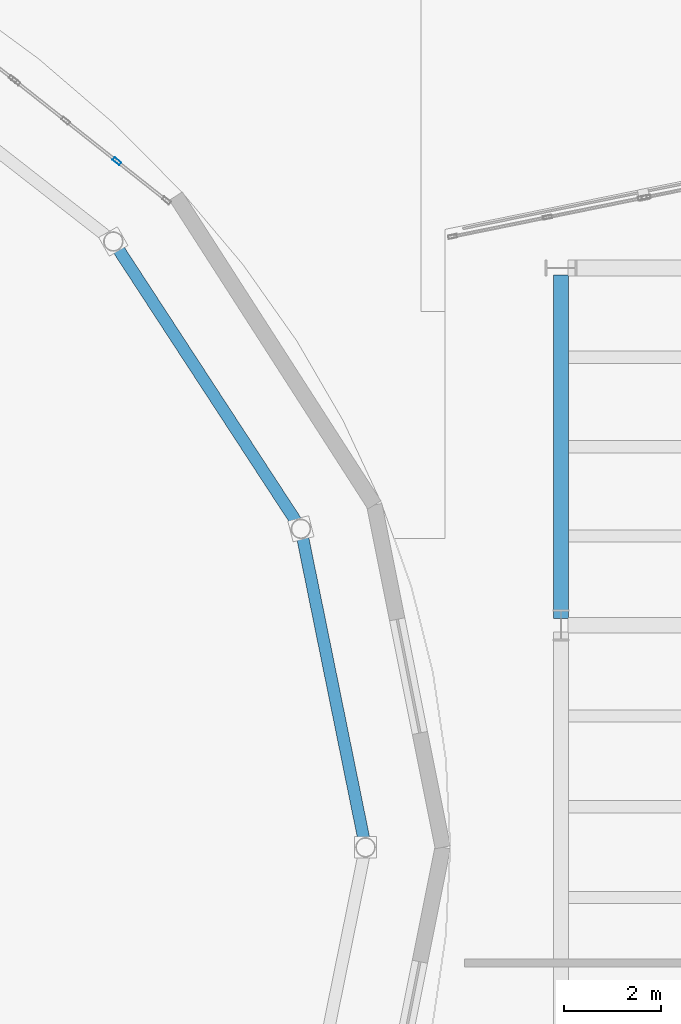
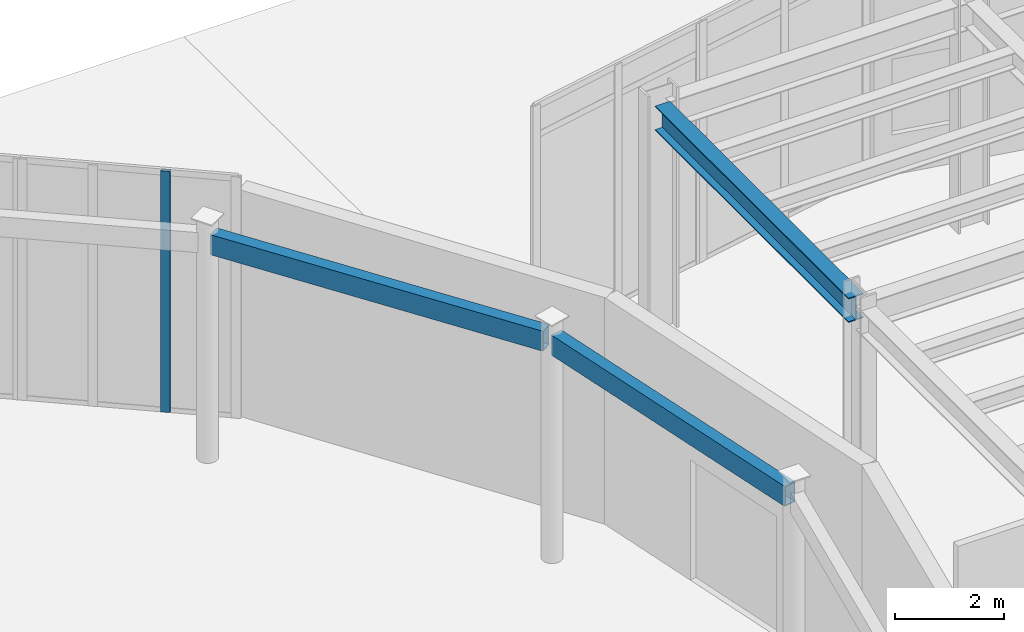
# One storey, part 42 of 94: 3 beams, 1 member, 1 element without a shape of its own.
"""IFC4 building model written with IfcOpenShell, lengths in metres."""

from ifc_helpers import new_model, si_unit, direction, frame, origin, origin_2d, place, context, subcontext, project, spatial, hollow_rectangle, i_section, extrude, material, layer, layer_set, material_profile, profile_set, type_object, element, aggregate, save


model = new_model("IFC4")

# Units and contexts
model_context = context("Model", 3, precision=1e-05, world=origin(), true_north=direction((0.0, 1.0)))
body_context = subcontext(model_context, "Body", "Model", "MODEL_VIEW")
ifc_project = project(units=[si_unit("LENGTHUNIT", "METRE"), si_unit("AREAUNIT", "SQUARE_METRE"), si_unit("VOLUMEUNIT", "CUBIC_METRE"), si_unit("PLANEANGLEUNIT", "RADIAN"), si_unit("MASSUNIT", "GRAM", prefix="KILO")], contexts=[model_context])

# Site, building, storey
site_placement = place(None, origin())
site = spatial("IfcSite", under=ifc_project, at=site_placement, CompositionType="ELEMENT")
building_placement = place(site_placement, origin())
building = spatial("IfcBuilding", under=site, at=building_placement, Name="Sollismere Congress Hotel", CompositionType="ELEMENT")
storey_placement = place(building_placement, origin())
storey = spatial("IfcBuildingStorey", under=building, at=storey_placement, Name="L00", CompositionType="ELEMENT", Elevation=0.0)

# Beams
ifc_material_1 = material(Name="Steel ASTM A500 Grade C", Category="steel")
ifc_material_profile_1 = material_profile(ifc_material_1, hollow_rectangle(XDim=0.25, YDim=0.449951171875, WallThickness=0.01611328125, at=origin_2d()), Name="HSS450X250X16")
ifc_profile_set_1 = profile_set([ifc_material_profile_1], Name="Steel ASTM A500 Grade C")
beam_type_1 = type_object("IfcBeamType", Name="BM-BX450", PredefinedType="HOLLOWCORE", material=ifc_profile_set_1)
beam_1_placement = place(storey_placement, frame((56.326171875, 90.517578125, 4.889892578125), z_axis=(-0.198827417532, 0.980034518799, 0.0), x_axis=(-0.980034518799, -0.198827417532, 0.0)))
element("IfcBeam", 1, at=beam_1_placement, inside=storey, type_object=beam_type_1, Name="Beam BM-L00-4166", PredefinedType="HOLLOWCORE", context=body_context, shape_type="SweptSolid", body=[
    extrude(hollow_rectangle(XDim=0.25, YDim=0.449951171875, WallThickness=0.01611328125, at=origin_2d()), origin(), (0.0, 0.0, 1.0), 6.491943359375),
])
beam_2_placement = place(storey_placement, frame((54.94580078125, 97.097900390625, 4.889892578125), z_axis=(-0.546593071312, 0.837398360635, 0.0), x_axis=(-0.837398360635, -0.546593071312, 0.0)))
element("IfcBeam", 2, at=beam_2_placement, inside=storey, type_object=beam_type_1, Name="Beam BM-L00-4167", PredefinedType="HOLLOWCORE", context=body_context, shape_type="SweptSolid", body=[
    extrude(hollow_rectangle(XDim=0.25, YDim=0.449951171875, WallThickness=0.01611328125, at=origin_2d()), origin(), (0.0, 0.0, 1.0), 6.867431640625),
])
ifc_material_2 = material(Name="Steel ASTM A992 Grade 50", Category="steel")
ifc_material_profile_2 = material_profile(ifc_material_2, i_section(OverallWidth=0.31494140625, OverallDepth=0.551025390625, WebThickness=0.01513671875, FlangeThickness=0.0244140625, at=origin_2d()), Name="W21X122")
ifc_profile_set_2 = profile_set([ifc_material_profile_2], Name="Steel ASTM A992 Grade 50")
beam_type_2 = type_object("IfcBeamType", Name="BM-G21H", PredefinedType="BEAM", material=ifc_profile_set_2)
beam_3_placement = place(storey_placement, frame((60.39990234375, 95.139892578125, 4.839599609375), z_axis=(0.0, 1.0, 0.0), x_axis=(-1.0, 0.0, 0.0)))
element("IfcBeam", 3, at=beam_3_placement, inside=storey, type_object=beam_type_2, Name="Beam BM-L00-1255", PredefinedType="BEAM", context=body_context, shape_type="SweptSolid", body=[
    extrude(i_section(OverallWidth=0.31494140625, OverallDepth=0.551025390625, WebThickness=0.01513671875, FlangeThickness=0.0244140625, at=origin_2d()), origin(), (0.0, 0.0, 1.0), 7.1201171875),
])

# Curtain wall, member
ifc_material_3 = material(Name="Anodized Bronze Curtain Wall & Low-E Triple Glazing", Category="glass")
ifc_layer = layer(ifc_material_3, 0.199951171875, Name="Anodized Bronze Curtain Wall & Low-E Triple Glazing")
ifc_layer_set = layer_set([ifc_layer], Name="Anodized Bronze Curtain Wall & Low-E Triple Glazing")
curtain_wall_type = type_object("IfcCurtainWallType", Name="CW-GLZ36", PredefinedType="USERDEFINED", material=ifc_layer_set)
curtain_wall_placement = place(storey_placement, origin())
curtain_wall = element("IfcCurtainWall", 4, at=curtain_wall_placement, inside=storey, type_object=curtain_wall_type, Name="Unitised curtain wall CW-L00-001", ObjectType="UNITISED CURTAIN WALL", PredefinedType="USERDEFINED")
ifc_material_4 = material(Name="Anodized Aluminum 6063-T6", Category="aluminium")
ifc_material_profile_3 = material_profile(ifc_material_4, hollow_rectangle(XDim=0.074951171875, YDim=0.179931640625, WallThickness=0.0048828125, at=origin_2d()), Name="ALU180X75X5")
ifc_profile_set_3 = profile_set([ifc_material_profile_3], Name="Anodized Aluminum 6063-T6")
member_type = type_object("IfcMemberType", Name="ML-CW180", PredefinedType="MULLION", material=ifc_profile_set_3)
member_placement = place(storey_placement, frame((51.19921875, 104.61083984375, 0.0), z_axis=(0.0, 0.0, 1.0), x_axis=(-0.620532077362, -0.784181063891, 0.0)))
member = element("IfcMember", 5, at=member_placement, type_object=member_type, Name="CWL-CW-L00-001-ML02", PredefinedType="MULLION", context=body_context, shape_type="SweptSolid", body=[
    extrude(hollow_rectangle(XDim=0.074951171875, YDim=0.179931640625, WallThickness=0.0048828125, at=origin_2d()), origin(), (0.0, 0.0, 1.0), 5.419921875),
])
aggregate(curtain_wall, [member])

save(model, "model.ifc")
